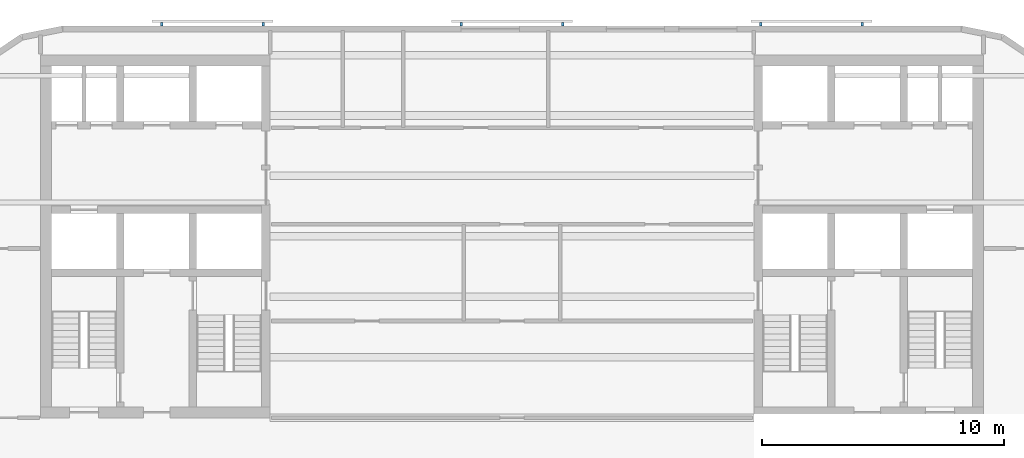
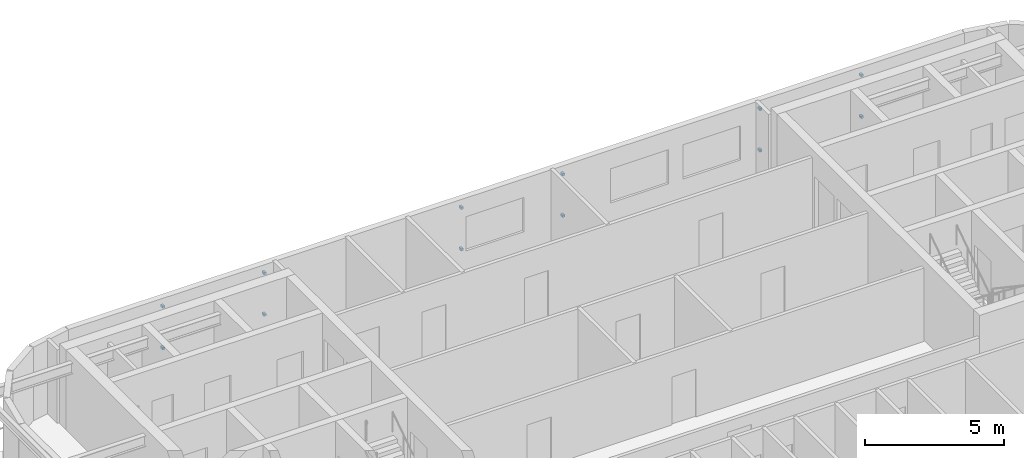
# One storey, part 8 of 11: 12 discrete accessories.
"""IFC4 building model written with IfcOpenShell, lengths in metres."""

from ifc_helpers import new_model, si_unit, direction, frame, origin, origin_2d, place, context, subcontext, project, spatial, rectangle, extrude, material, type_object, element, save


model = new_model("IFC4")

# Units and contexts
model_context = context("Model", 3, precision=1e-05, world=origin(), true_north=direction((0.0, 1.0)))
body_context = subcontext(model_context, "Body", "Model", "MODEL_VIEW")
ifc_project = project(units=[si_unit("LENGTHUNIT", "METRE"), si_unit("AREAUNIT", "SQUARE_METRE"), si_unit("VOLUMEUNIT", "CUBIC_METRE"), si_unit("PLANEANGLEUNIT", "RADIAN"), si_unit("MASSUNIT", "GRAM", prefix="KILO")], contexts=[model_context])

# Site, building, storey
site_placement = place(None, origin())
site = spatial("IfcSite", under=ifc_project, at=site_placement, CompositionType="ELEMENT")
building_placement = place(site_placement, origin())
building = spatial("IfcBuilding", under=site, at=building_placement, Name="Torana Hotel and Residences", CompositionType="ELEMENT")
storey_placement = place(building_placement, frame((0.0, 0.0, 287.60009765625)))
storey = spatial("IfcBuildingStorey", under=building, at=storey_placement, Name="L76", CompositionType="ELEMENT", Elevation=287.60009765625)

# Discrete accessories
ifc_material = material(Name="Steel S355", Category="steel")
discrete_accessory_type = type_object("IfcDiscreteAccessoryType", Name="SCREEN BRACKET 100", PredefinedType="BRACKET", material=ifc_material)
for number, where, z_axis, x_axis, name in (
    (1, (14.483642578125, 1.27490234375, 0.749755859375), (0.0, 0.0, 1.0), (-1.0, 0.0, 0.0), "Screen bracket L76"),
    (2, (14.483642578125, 1.27490234375, 2.56982421875), (0.0, 0.0, 1.0), (-1.0, 0.0, 0.0), "Screen bracket L76"),
    (3, (10.28369140625, 1.27490234375, 0.749755859375), (0.0, 0.0, 1.0), (-1.0, 0.0, 0.0), "Screen bracket L76"),
    (4, (10.28369140625, 1.27490234375, 2.56982421875), (0.0, 0.0, 1.0), (-1.0, 0.0, 0.0), "Screen bracket L76"),
    (5, (2.10009765625, 1.27490234375, 0.749755859375), (0.0, 0.0, 1.0), (-1.0, 0.0, 0.0), "Screen bracket L76"),
    (6, (2.10009765625, 1.27490234375, 2.56982421875), (0.0, 0.0, 1.0), (-1.0, 0.0, 0.0), "Screen bracket L76"),
    (7, (-2.10009765625, 1.27490234375, 0.749755859375), (0.0, 0.0, 1.0), (-1.0, 0.0, 0.0), "Screen bracket L76"),
    (8, (-2.10009765625, 1.27490234375, 2.56982421875), (0.0, 0.0, 1.0), (-1.0, 0.0, 0.0), "Screen bracket L76"),
    (9, (-10.28369140625, 1.27490234375, 0.749755859375), (0.0, 0.0, 1.0), (-1.0, 0.0, 0.0), "Screen bracket L76"),
    (10, (-10.28369140625, 1.27490234375, 2.56982421875), (0.0, 0.0, 1.0), (-1.0, 0.0, 0.0), "Screen bracket L76"),
    (11, (-14.483642578125, 1.27490234375, 0.749755859375), (0.0, 0.0, 1.0), (-1.0, 0.0, 0.0), "Screen bracket L76"),
    (12, (-14.483642578125, 1.27490234375, 2.56982421875), (0.0, 0.0, 1.0), (-1.0, 0.0, 0.0), "Screen bracket L76"),
):
    element("IfcDiscreteAccessory", number, at=place(storey_placement, frame(where, z_axis=z_axis, x_axis=x_axis)), inside=storey, type_object=discrete_accessory_type, Name=name, PredefinedType="BRACKET", context=body_context, shape_type="SweptSolid", body=[
        extrude(rectangle(XDim=0.10009765625, YDim=0.14990234375, at=origin_2d()), origin(), (0.0, 0.0, 1.0), 0.10009765625),
    ])

save(model, "model.ifc")
